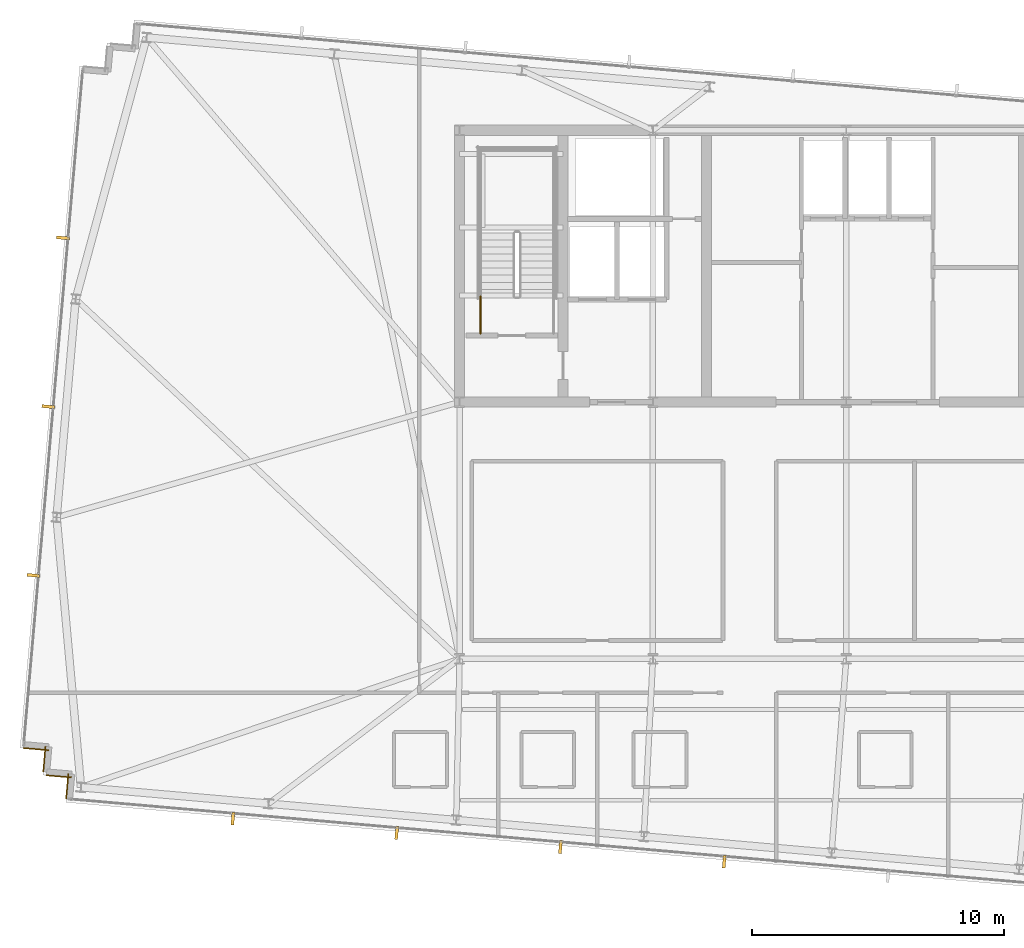
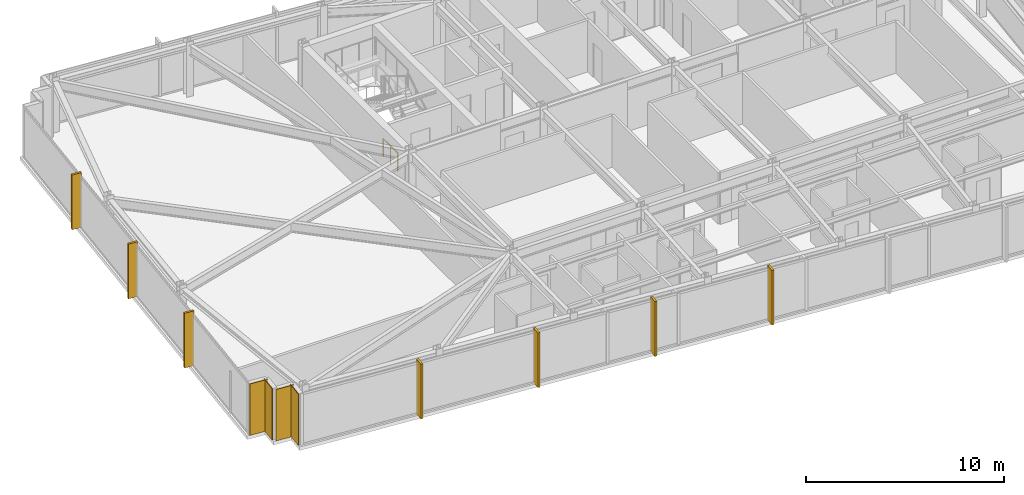
# One storey, part 30 of 33: 7 shading devices, 4 coverings, 1 railing.
"""IFC4 building model written with IfcOpenShell, lengths in metres."""

from ifc_helpers import new_model, si_unit, direction, frame, frame_2d, origin, origin_2d, place, context, subcontext, project, spatial, rectangle, circle, extrude, material, layer, layer_set, type_object, element, save


model = new_model("IFC4")

# Units and contexts
model_context = context("Model", 3, precision=1e-05, world=origin(), true_north=direction((0.0, 1.0)))
body_context = subcontext(model_context, "Body", "Model", "MODEL_VIEW")
ifc_project = project(units=[si_unit("LENGTHUNIT", "METRE"), si_unit("AREAUNIT", "SQUARE_METRE"), si_unit("VOLUMEUNIT", "CUBIC_METRE"), si_unit("PLANEANGLEUNIT", "RADIAN"), si_unit("MASSUNIT", "GRAM", prefix="KILO")], contexts=[model_context])

# Site, building, storey
site_placement = place(None, origin())
site = spatial("IfcSite", under=ifc_project, at=site_placement, CompositionType="ELEMENT")
building_placement = place(site_placement, origin())
building = spatial("IfcBuilding", under=site, at=building_placement, Name="Yelkora Congress Tower", CompositionType="ELEMENT")
storey_placement = place(building_placement, frame((0.0, 0.0, 289.699951171875)))
storey = spatial("IfcBuildingStorey", under=building, at=storey_placement, Name="L81", CompositionType="ELEMENT", Elevation=289.699951171875)

# Coverings
ifc_material_1 = material(Name="Anatolian bush-hammered limestone", Category="masonry")
ifc_layer_1 = layer(ifc_material_1, 0.0400390625)
ifc_layer_set_1 = layer_set([ifc_layer_1], Name="Anatolian bush-hammered limestone")
covering_type = type_object("IfcCoveringType", Name="COV-CLAD-SPANDREL-40", PredefinedType="CLADDING", material=ifc_layer_set_1)
for number, where, z_axis, x_axis, name in (
    (1, (7.41064453125, 19.63720703125, 0.0), (0.0, 0.0, 1.0), (0.087166950281, 0.996193717496, 0.0), "L81 Anatolian Limestone Cladding EW-L81-SR01"),
    (2, (7.62060546875, 20.4873046875, 0.0), (0.0, 0.0, 1.0), (-0.996214890596, 0.086924632611, 0.0), "L81 Anatolian Limestone Cladding EW-L81-SR02"),
):
    element("IfcCovering", number, at=place(storey_placement, frame(where, z_axis=z_axis, x_axis=x_axis)), inside=storey, type_object=covering_type, Name=name, PredefinedType="CLADDING", context=body_context, shape_type="SweptSolid", body=[
        extrude(rectangle(XDim=1.0, YDim=0.0400390625, at=frame_2d((0.5, 0.0))), origin(), (0.0, 0.0, 1.0), 3.179931640625),
    ])
covering_1_placement = place(storey_placement, frame((6.501708984375, 20.720458984375, 0.0), z_axis=(0.0, 0.0, 1.0), x_axis=(0.087145753297, 0.996195572005, 0.0)))
element("IfcCovering", 3, at=covering_1_placement, inside=storey, type_object=covering_type, Name="L81 Anatolian Limestone Cladding EW-L81-SR03", PredefinedType="CLADDING", context=body_context, shape_type="SweptSolid", body=[
    extrude(rectangle(XDim=1.000244140625, YDim=0.0400390625, at=frame_2d((0.5, 0.0))), origin(), (0.0, 0.0, 1.0), 3.179931640625),
])
covering_2_placement = place(storey_placement, frame((6.71142578125, 21.570556640625, 0.0), z_axis=(0.0, 0.0, 1.0), x_axis=(-0.996193717496, 0.087166950281, 0.0)))
element("IfcCovering", 4, at=covering_2_placement, inside=storey, type_object=covering_type, Name="L81 Anatolian Limestone Cladding EW-L81-SR04", PredefinedType="CLADDING", context=body_context, shape_type="SweptSolid", body=[
    extrude(rectangle(XDim=1.0, YDim=0.0400390625, at=frame_2d((0.5, 0.0))), origin(), (0.0, 0.0, 1.0), 3.179931640625),
])

# Railing
ifc_material_2 = material(Name="Painted galvanised steel stair well guard with vertical infill", Category="steel")
ifc_layer_2 = layer(ifc_material_2, 0.06005859375)
ifc_layer_set_2 = layer_set([ifc_layer_2], Name="Painted galvanised steel stair well guard with vertical infill")
railing_type = type_object("IfcRailingType", Name="RAIL-STAIR-GUARD-1120", PredefinedType="GUARDRAIL", material=ifc_layer_set_2)
railing_placement = place(storey_placement, frame((23.8701171875, 38.1201171875, 0.0)))
element("IfcRailing", 5, at=railing_placement, inside=storey, type_object=railing_type, Name="ST-01 L81 Stair Well Guardrail 9", PredefinedType="GUARDRAIL", context=body_context, shape_type="SweptSolid", body=[
    extrude(circle(Radius=0.02392578125, at=origin_2d()), frame((0.0, 0.0, 1.09619140625), z_axis=(0.0, 1.0, 0.0), x_axis=(-1.0, 0.0, 0.0)), (0.0, 0.0, 1.0), 1.47998046875),
    extrude(circle(Radius=0.02099609375, at=origin_2d()), origin(), (0.0, 0.0, 1.0), 1.072021484375),
    extrude(circle(Radius=0.02099609375, at=origin_2d()), frame((0.0, 0.739990234375, 0.0)), (0.0, 0.0, 1.0), 1.072021484375),
    extrude(circle(Radius=0.02099609375, at=origin_2d()), frame((0.0, 1.47998046875, 0.0)), (0.0, 0.0, 1.0), 1.072021484375),
])

# Shading devices
ifc_material_3 = material(Name="Champagne anodised aluminium", Category="aluminium")
ifc_layer_3 = layer(ifc_material_3, 3.300048828125)
ifc_layer_set_3 = layer_set([ifc_layer_3], Name="Champagne anodised aluminium")
shading_device_type = type_object("IfcShadingDeviceType", Name="SHD-FIN-ALU-520", PredefinedType="USERDEFINED", material=ifc_layer_set_3)
for number, where, z_axis, x_axis, name in (
    (6, (6.114501953125, 28.513916015625, -0.02978515625), (0.0, 0.0, 1.0), (0.087155742748, 0.996194698092, 0.0), "L81 Vertical Anodised Solar Fin 5-1"),
    (7, (6.700927734375, 35.218505859375, -0.02978515625), (0.0, 0.0, 1.0), (0.087155742748, 0.996194698092, 0.0), "L81 Vertical Anodised Solar Fin 5-2"),
    (8, (7.28759765625, 41.9228515625, -0.02978515625), (0.0, 0.0, 1.0), (0.087155742748, 0.996194698092, 0.0), "L81 Vertical Anodised Solar Fin 5-3"),
    (9, (33.553955078125, 17.149169921875, -0.02978515625), (0.0, 0.0, 1.0), (-0.996194698092, 0.087155742748, 0.0), "L81 Vertical Anodised Solar Fin 20-3"),
    (10, (27.04736328125, 17.718505859375, -0.02978515625), (0.0, 0.0, 1.0), (-0.996194698092, 0.087155742748, 0.0), "L81 Vertical Anodised Solar Fin 20-4"),
    (11, (20.541015625, 18.28759765625, -0.02978515625), (0.0, 0.0, 1.0), (-0.996194698092, 0.087155742748, 0.0), "L81 Vertical Anodised Solar Fin 20-5"),
    (12, (14.0341796875, 18.85693359375, -0.02978515625), (0.0, 0.0, 1.0), (-0.996194698092, 0.087155742748, 0.0), "L81 Vertical Anodised Solar Fin 20-6"),
):
    element("IfcShadingDevice", number, at=place(storey_placement, frame(where, z_axis=z_axis, x_axis=x_axis)), inside=storey, type_object=shading_device_type, Name=name, ObjectType="FIN", PredefinedType="USERDEFINED", context=body_context, shape_type="SweptSolid", body=[
        extrude(rectangle(XDim=0.1201171875, YDim=0.52001953125, at=origin_2d()), origin(), (0.0, 0.0, 1.0), 3.3798828125),
    ])

save(model, "model.ifc")
